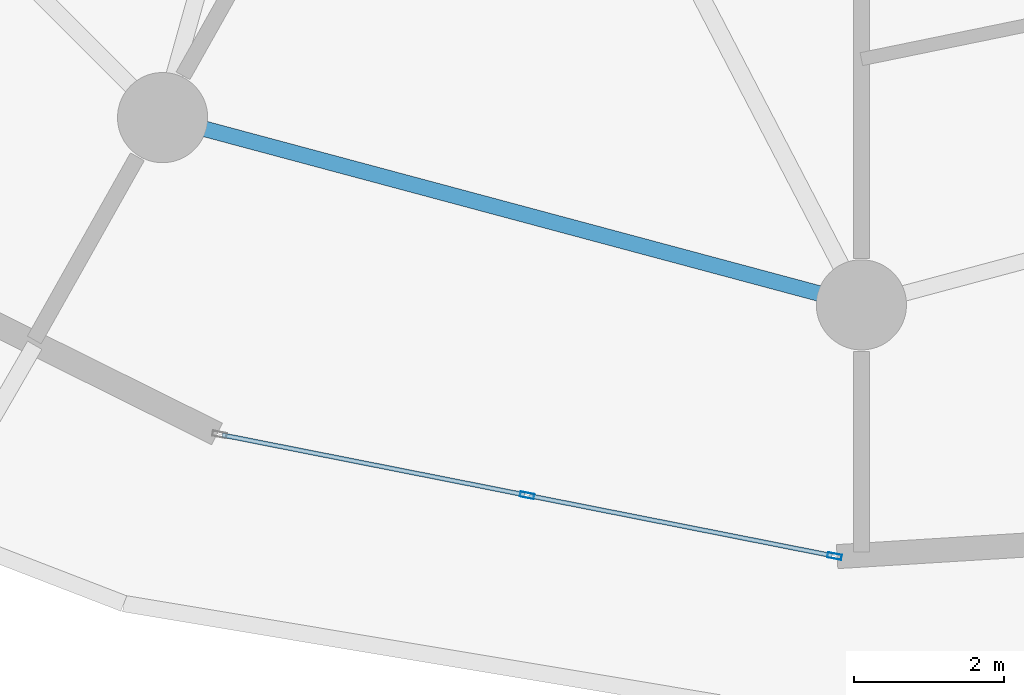
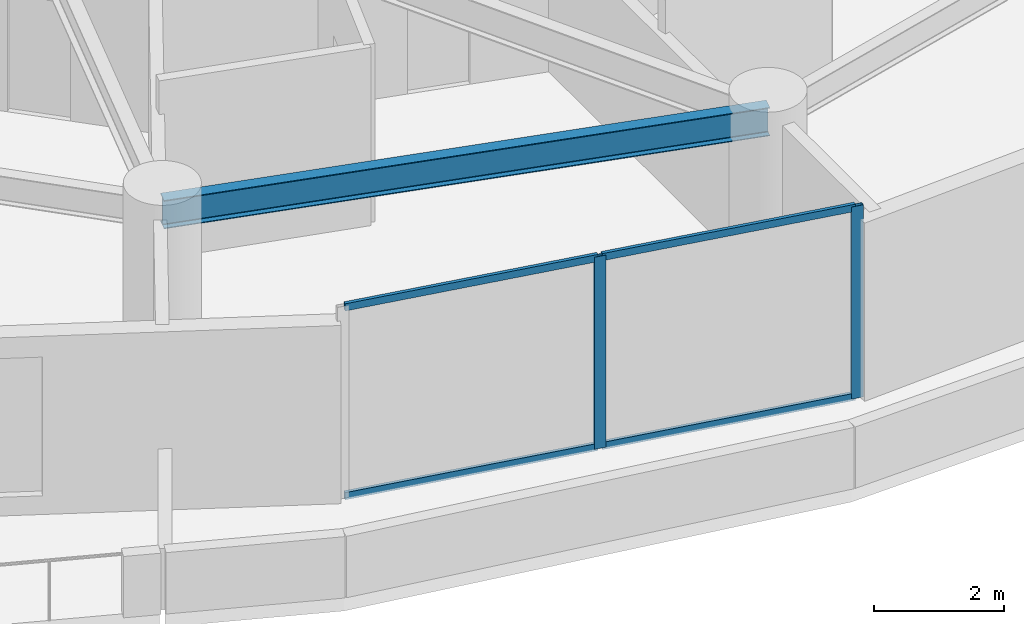
# One storey, part 3 of 25: 6 members, 1 beam, 1 element without a shape of its own.
"""IFC4 building model written with IfcOpenShell, lengths in metres."""

from ifc_helpers import new_model, si_unit, direction, frame, origin, origin_2d, place, context, subcontext, project, spatial, hollow_rectangle, i_section, extrude, source, transform, mapped, material, layer, layer_set, material_profile, profile_set, type_object, element, aggregate, save


model = new_model("IFC4")

# Units and contexts
model_context = context("Model", 3, precision=1e-05, world=origin(), true_north=direction((0.0, 1.0)))
body_context = subcontext(model_context, "Body", "Model", "MODEL_VIEW")
ifc_project = project(units=[si_unit("LENGTHUNIT", "METRE"), si_unit("AREAUNIT", "SQUARE_METRE"), si_unit("VOLUMEUNIT", "CUBIC_METRE"), si_unit("PLANEANGLEUNIT", "RADIAN"), si_unit("MASSUNIT", "GRAM", prefix="KILO")], contexts=[model_context])

# Site, building, storey
site_placement = place(None, origin())
site = spatial("IfcSite", under=ifc_project, at=site_placement, CompositionType="ELEMENT")
building_placement = place(site_placement, origin())
building = spatial("IfcBuilding", under=site, at=building_placement, Name="Solvirekh Grand Hotel", CompositionType="ELEMENT")
storey_placement = place(building_placement, frame((0.0, 0.0, 28.39990234375)))
storey = spatial("IfcBuildingStorey", under=building, at=storey_placement, Name="L05", CompositionType="ELEMENT", Elevation=28.39990234375)

# Beam
ifc_material_1 = material(Name="Steel S355", Category="steel")
ifc_material_profile_1 = material_profile(ifc_material_1, i_section(OverallWidth=0.208984375, OverallDepth=0.532958984375, WebThickness=0.010009765625, FlangeThickness=0.014892578125, FilletRadius=0.013916015625, at=origin_2d()), Name="W530X92")
ifc_profile_set_1 = profile_set([ifc_material_profile_1], Name="Steel S355")
beam_type = type_object("IfcBeamType", Name="Spandrel_Ring_W530", PredefinedType="SPANDREL", material=ifc_profile_set_1)
beam_placement = place(storey_placement, frame((-9.300048828125, -16.10791015625, 3.072998046875), z_axis=(0.965919414426, -0.258842973314, 0.0), x_axis=(0.258842973314, 0.965919414426, 0.0)))
element("IfcBeam", 1, at=beam_placement, inside=storey, type_object=beam_type, Name="L05 perimeter spandrel beam 9", PredefinedType="SPANDREL", context=body_context, shape_type="SweptSolid", body=[
    extrude(i_section(OverallWidth=0.208984375, OverallDepth=0.532958984375, WebThickness=0.010009765625, FlangeThickness=0.014892578125, FilletRadius=0.013916015625, at=origin_2d()), origin(), (0.0, 0.0, 1.0), 9.628173828125),
])

# Curtain wall, members
ifc_material_2 = material(Name="Anodized Bronze Aluminium 6063-T6", Category="aluminium")
ifc_layer = layer(ifc_material_2, 0.18994140625)
ifc_layer_set = layer_set([ifc_layer], Name="Anodized Bronze Aluminium 6063-T6")
curtain_wall_type = type_object("IfcCurtainWallType", Name="CW_Sys2_LowZoneFlushBronzeCW", PredefinedType="NOTDEFINED", material=ifc_layer_set)
curtain_wall_placement = place(storey_placement, origin())
curtain_wall = element("IfcCurtainWall", 2, at=curtain_wall_placement, inside=storey, type_object=curtain_wall_type, Name="L05 unitised bronze-glass curtain wall CW-L05-C15", PredefinedType="NOTDEFINED")
ifc_material_profile_2 = material_profile(ifc_material_2, hollow_rectangle(XDim=0.070068359375, YDim=0.18994140625, WallThickness=0.0048828125, at=origin_2d()), Name="ALU RHS 190X70X5")
ifc_profile_set_2 = profile_set([ifc_material_profile_2], Name="Anodized Bronze Aluminium 6063-T6")
member_type_1 = type_object("IfcMemberType", Name="CWMullion_Sys2", PredefinedType="MULLION", material=ifc_profile_set_2)
shared_shape_1 = source(origin(), body_context, "Body", "SweptSolid", [
    extrude(hollow_rectangle(XDim=0.070068359375, YDim=0.18994140625, WallThickness=0.0048828125, at=origin_2d()), origin(), (0.0, 0.0, 1.0), 3.60009765625),
])
member_1_placement = place(storey_placement, frame((-4.449462890625, -21.134521484375, 0.0), z_axis=(0.0, 0.0, 1.0), x_axis=(0.194104185406, 0.9809809199, 0.0)))
member_1 = element("IfcMember", 3, at=member_1_placement, type_object=member_type_1, Name="U02 mullion 2", PredefinedType="MULLION", context=body_context, shape_type="MappedRepresentation", body=[
    mapped(shared_shape_1, transform((0.0, 0.0, 0.0), x_axis=(1.0, 0.0, 0.0), y_axis=(0.0, 1.0, 0.0), z_axis=(0.0, 0.0, 1.0), scale=1.0)),
])
member_2_placement = place(storey_placement, frame((-0.357421875, -21.944091796875, 0.0), z_axis=(0.0, 0.0, 1.0), x_axis=(0.194104185406, 0.9809809199, 0.0)))
member_2 = element("IfcMember", 4, at=member_2_placement, type_object=member_type_1, Name="U02 mullion 3", PredefinedType="MULLION", context=body_context, shape_type="MappedRepresentation", body=[
    mapped(shared_shape_1, transform((0.0, 0.0, 0.0), x_axis=(1.0, 0.0, 0.0), y_axis=(0.0, 1.0, 0.0), z_axis=(0.0, 0.0, 1.0), scale=1.0)),
])
ifc_material_profile_3 = material_profile(ifc_material_2, hollow_rectangle(XDim=0.06005859375, YDim=0.135009765625, WallThickness=0.00390625, at=origin_2d()), Name="ALU RHS 135X60X4")
ifc_profile_set_3 = profile_set([ifc_material_profile_3], Name="Anodized Bronze Aluminium 6063-T6")
member_type_2 = type_object("IfcMemberType", Name="CWTransom_Sys2", PredefinedType="USERDEFINED", material=ifc_profile_set_3)
shared_shape_2 = source(origin(), body_context, "Body", "SweptSolid", [
    extrude(hollow_rectangle(XDim=0.06005859375, YDim=0.135009765625, WallThickness=0.00390625, at=origin_2d()), origin(), (0.0, 0.0, 1.0), 4.1015625),
])
member_3_placement = place(storey_placement, frame((-8.50732421875, -20.33154296875, 0.030029296875), z_axis=(0.980979281439, -0.194112465824, 0.0), x_axis=(0.194112465824, 0.980979281439, 0.0)))
member_3 = element("IfcMember", 5, at=member_3_placement, type_object=member_type_2, Name="U02 transom 1.1", ObjectType="TRANSOM", PredefinedType="USERDEFINED", context=body_context, shape_type="MappedRepresentation", body=[
    mapped(shared_shape_2, transform((0.0, 0.0, 0.0), x_axis=(1.0, 0.0, 0.0), y_axis=(0.0, 1.0, 0.0), z_axis=(0.0, 0.0, 1.0), scale=1.0)),
])
member_4_placement = place(storey_placement, frame((-8.50732421875, -20.33154296875, 3.570068359375), z_axis=(0.980979281439, -0.194112465824, 0.0), x_axis=(0.194112465824, 0.980979281439, 0.0)))
member_4 = element("IfcMember", 6, at=member_4_placement, type_object=member_type_2, Name="U02 transom 1.2", ObjectType="TRANSOM", PredefinedType="USERDEFINED", context=body_context, shape_type="MappedRepresentation", body=[
    mapped(shared_shape_2, transform((0.0, 0.0, 0.0), x_axis=(1.0, 0.0, 0.0), y_axis=(0.0, 1.0, 0.0), z_axis=(0.0, 0.0, 1.0), scale=1.0)),
])
shared_shape_3 = source(origin(), body_context, "Body", "SweptSolid", [
    extrude(hollow_rectangle(XDim=0.06005859375, YDim=0.135009765625, WallThickness=0.00390625, at=origin_2d()), origin(), (0.0, 0.0, 1.0), 4.101806640625),
])
member_5_placement = place(storey_placement, frame((-4.415283203125, -21.141357421875, 0.030029296875), z_axis=(0.98098152414, -0.194101131619, 0.0), x_axis=(0.194101131619, 0.98098152414, 0.0)))
member_5 = element("IfcMember", 7, at=member_5_placement, type_object=member_type_2, Name="U02 transom 2.1", ObjectType="TRANSOM", PredefinedType="USERDEFINED", context=body_context, shape_type="MappedRepresentation", body=[
    mapped(shared_shape_3, transform((0.0, 0.0, 0.0), x_axis=(1.0, 0.0, 0.0), y_axis=(0.0, 1.0, 0.0), z_axis=(0.0, 0.0, 1.0), scale=1.0)),
])
member_6_placement = place(storey_placement, frame((-4.415283203125, -21.141357421875, 3.570068359375), z_axis=(0.98098152414, -0.194101131619, 0.0), x_axis=(0.194101131619, 0.98098152414, 0.0)))
member_6 = element("IfcMember", 8, at=member_6_placement, type_object=member_type_2, Name="U02 transom 2.2", ObjectType="TRANSOM", PredefinedType="USERDEFINED", context=body_context, shape_type="MappedRepresentation", body=[
    mapped(shared_shape_3, transform((0.0, 0.0, 0.0), x_axis=(1.0, 0.0, 0.0), y_axis=(0.0, 1.0, 0.0), z_axis=(0.0, 0.0, 1.0), scale=1.0)),
])
aggregate(curtain_wall, [member_1, member_2, member_3, member_4, member_5, member_6])

save(model, "model.ifc")
